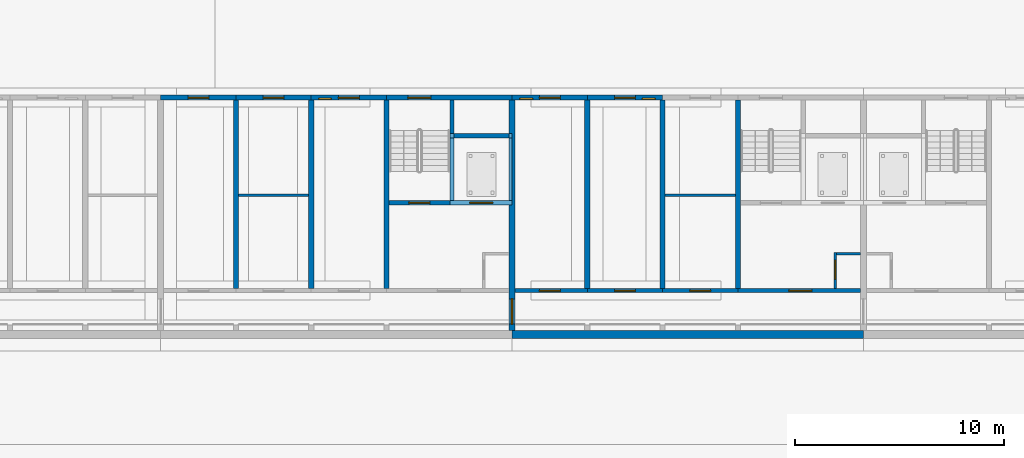
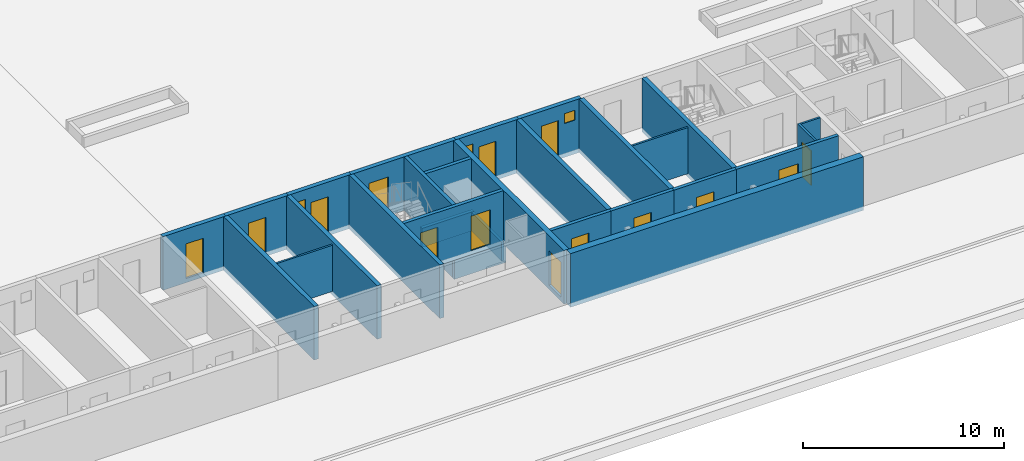
# One storey, part 42 of 112: 29 walls, 14 doors, 3 windows, 17 openings.
"""IFC4 building model written with IfcOpenShell, lengths in metres."""

import ifcopenshell
import ifcopenshell.guid

model = None  # the IFC model being written
_history = None  # IfcOwnerHistory: only IFC2X3 demands one
_inside = {}  # id of a spatial element -> (the spatial element, [elements in it])
_under = {}  # id of a project, library or spatial element -> (it, [spatial elements below it])
_declared = {}  # id of a project -> (the project, [libraries it declares])
_typed = {}  # id of a type object -> (the type object, [elements of that type])
_made_of = {}  # id of a material, layer set ... -> (it, [elements and type objects made of it])


def new_model(schema):
    """Start an empty IFC model of exactly this schema.

    Asked for "IFC4X3", IfcOpenShell would pick the latest addendum, in which some entities
    have other attributes; the version numbers below select the first issue.
    IFC2X3 requires an IfcOwnerHistory on every rooted entity: one is made here for all.
    """
    global model, _history
    if schema == "IFC4X3":
        model = ifcopenshell.file(schema_version=(4, 3, 0, 0))
    else:
        model = ifcopenshell.file(schema=schema)
    _inside.clear()
    _under.clear()
    _declared.clear()
    _typed.clear()
    _made_of.clear()
    _history = None
    if model.schema == "IFC2X3":
        org = make("IfcOrganization", Name="unknown")
        user = make(
            "IfcPersonAndOrganization",
            ThePerson=make("IfcPerson", FamilyName="unknown"),
            TheOrganization=org,
        )
        app = make(
            "IfcApplication",
            ApplicationDeveloper=org,
            Version="unknown",
            ApplicationFullName="unknown",
            ApplicationIdentifier="unknown",
        )
        _history = make(
            "IfcOwnerHistory",
            OwningUser=user,
            OwningApplication=app,
            ChangeAction="ADDED",
            CreationDate=0,
        )
    return model


def make(cls, **values):
    """One entity of the class cls with the attributes given. An attribute that is None is left unset."""
    return model.create_entity(
        cls, **{name: value for name, value in values.items() if value is not None}
    )


def rooted(cls, **values):
    """An entity with a GlobalId (a new one), such as an element, a storey or a relation."""
    return make(cls, GlobalId=ifcopenshell.guid.new(), OwnerHistory=_history, **values)


def si_unit(unit_type, name, prefix=None):
    """IfcSIUnit, for example si_unit("LENGTHUNIT", "METRE", prefix="MILLI")."""
    return make("IfcSIUnit", UnitType=unit_type, Prefix=prefix, Name=name)


def assignment(units):
    """IfcUnitAssignment: the units of a project."""
    return None if units is None else make("IfcUnitAssignment", Units=units)


def point(xyz):
    """IfcCartesianPoint."""
    return None if xyz is None else make("IfcCartesianPoint", Coordinates=xyz)


def direction(xyz):
    """IfcDirection."""
    return None if xyz is None else make("IfcDirection", DirectionRatios=xyz)


def frame(location, z_axis=None, x_axis=None):
    """IfcAxis2Placement3D, a coordinate frame: its origin and axes. An axis left out is left unset."""
    return make(
        "IfcAxis2Placement3D",
        Location=point(location),
        Axis=direction(z_axis),
        RefDirection=direction(x_axis),
    )


def frame_2d(location, x_axis=None):
    """IfcAxis2Placement2D, a coordinate frame in the plane: its origin and x axis."""
    return make(
        "IfcAxis2Placement2D", Location=point(location), RefDirection=direction(x_axis)
    )


def origin():
    """The frame at (0, 0, 0) with its axes left unset."""
    return frame((0.0, 0.0, 0.0))


def place(relative_to, where):
    """IfcLocalPlacement: puts the frame where relative to a parent placement (None: the world)."""
    return make(
        "IfcLocalPlacement", PlacementRelTo=relative_to, RelativePlacement=where
    )


def context(
    kind, dimensions, precision=None, world=None, true_north=None, identifier=None
):
    """IfcGeometricRepresentationContext, for example the 3D "Model" context."""
    return make(
        "IfcGeometricRepresentationContext",
        ContextIdentifier=identifier,
        ContextType=kind,
        CoordinateSpaceDimension=dimensions,
        Precision=precision,
        WorldCoordinateSystem=world,
        TrueNorth=true_north,
    )


def subcontext(parent, identifier, kind, view, scale=None):
    """IfcGeometricRepresentationSubContext, for example "Body" below "Model"."""
    return make(
        "IfcGeometricRepresentationSubContext",
        ContextIdentifier=identifier,
        ContextType=kind,
        ParentContext=parent,
        TargetScale=scale,
        TargetView=view,
    )


def project(units=None, contexts=None):
    """IfcProject with its units and contexts."""
    return rooted(
        "IfcProject",
        Name="project",
        RepresentationContexts=contexts,
        UnitsInContext=assignment(units),
    )


def spatial(cls, under=None, at=None, **own):
    """A site, building, storey or space (cls), placed at a placement, below another one or the project."""
    s = rooted(cls, ObjectPlacement=at, **own)
    if under is not None:
        _under.setdefault(under.id(), (under, []))[1].append(s)
    return s


def profile(cls, at=None, kind="AREA", **sizes):
    """A parametric profile (cls). Its sizes go by their IFC names, for example OverallWidth=200.0."""
    return make(cls, ProfileType=kind, Position=at, **sizes)


def rectangle(**sizes):
    """IfcRectangleProfileDef."""
    return profile("IfcRectangleProfileDef", **sizes)


def extrude(swept, where, along, depth):
    """IfcExtrudedAreaSolid: the profile swept, set in the frame where, extruded along a direction by depth."""
    return make(
        "IfcExtrudedAreaSolid",
        SweptArea=swept,
        Position=where,
        ExtrudedDirection=direction(along),
        Depth=depth,
    )


def shape(context_of_items, identifier, shape_type, items):
    """IfcShapeRepresentation: the items that make up one representation, for example the "Body"."""
    return make(
        "IfcShapeRepresentation",
        ContextOfItems=context_of_items,
        RepresentationIdentifier=identifier,
        RepresentationType=shape_type,
        Items=items,
    )


def material(Name=None, Category=None):
    """IfcMaterial."""
    return make("IfcMaterial", Name=Name, Category=Category)


def layer(
    of_material, thickness, ventilated=None, Name=None, Category=None, Priority=None
):
    """IfcMaterialLayer: one layer of a wall or slab, of a material (None: an air gap)."""
    return make(
        "IfcMaterialLayer",
        Material=of_material,
        LayerThickness=thickness,
        IsVentilated=ventilated,
        Name=Name,
        Category=Category,
        Priority=Priority,
    )


def layer_set(layers, Name=None):
    """IfcMaterialLayerSet."""
    return make("IfcMaterialLayerSet", MaterialLayers=layers, LayerSetName=Name)


def made_of(thing, what):
    """Note that an element or type object is made of a material, layer set ...; save() writes the relation."""
    if what is not None:
        _made_of.setdefault(what.id(), (what, []))[1].append(thing)
    return thing


def type_object(cls, material=None, **own):
    """A type object (cls), such as IfcWallType, which elements share."""
    return made_of(rooted(cls, **own), material)


def element(
    cls,
    number,
    at=None,
    inside=None,
    cuts=None,
    type_object=None,
    material=None,
    context=None,
    identifier="Body",
    shape_type=None,
    held_by="IfcProductDefinitionShape",
    body=None,
    shapes=None,
    **own,
):
    """One element of the class cls, such as IfcWall. Its Tag is "e" and its number.

    at: its placement. inside: the storey or other place that contains it. cuts: it is an
    opening in that element (IfcRelVoidsElement). A single representation is given by context,
    identifier, shape_type and body (its items); several are given by shapes. held_by: the class
    of the entity that holds the representations. save() writes the other relations.
    """
    e = rooted(cls, Tag="e%d" % number, ObjectPlacement=at, **own)
    if body is not None:
        shapes = [shape(context, identifier, shape_type, body)]
    if shapes is not None:
        e.Representation = make(held_by, Representations=shapes)
    if inside is not None:
        _inside.setdefault(inside.id(), (inside, []))[1].append(e)
    if cuts is not None:
        rooted(
            "IfcRelVoidsElement", RelatingBuildingElement=cuts, RelatedOpeningElement=e
        )
    if type_object is not None:
        _typed.setdefault(type_object.id(), (type_object, []))[1].append(e)
    return made_of(e, material)


def fill(opening, filler):
    """IfcRelFillsElement: the door or window that sits in an opening."""
    return rooted(
        "IfcRelFillsElement",
        RelatingOpeningElement=opening,
        RelatedBuildingElement=filler,
    )


def aggregate(whole, parts):
    """IfcRelAggregates: a whole, such as a stair, and the parts it consists of."""
    return rooted("IfcRelAggregates", RelatingObject=whole, RelatedObjects=parts)


def save(model, path):
    """Write the relations noted so far, then the file.

    IfcRelAggregates (storeys below a building ...), IfcRelContainedInSpatialStructure (elements
    in a storey), IfcRelDefinesByType, IfcRelAssociatesMaterial and IfcRelDeclares: one each for
    every whole, place, type object, material and project.
    """
    for whole, parts in _under.values():
        aggregate(whole, parts)
    for where, things in _inside.values():
        rooted(
            "IfcRelContainedInSpatialStructure",
            RelatedElements=things,
            RelatingStructure=where,
        )
    for kind, things in _typed.values():
        rooted("IfcRelDefinesByType", RelatedObjects=things, RelatingType=kind)
    for what, things in _made_of.values():
        rooted("IfcRelAssociatesMaterial", RelatedObjects=things, RelatingMaterial=what)
    for by, libraries in _declared.values():
        rooted("IfcRelDeclares", RelatingContext=by, RelatedDefinitions=libraries)
    model.write(path)


model = new_model("IFC4")

# Units and contexts
model_context = context("Model", 3, precision=1e-05, world=origin(), true_north=direction((0.0, 1.0)))
body_context = subcontext(model_context, "Body", "Model", "MODEL_VIEW")
ifc_project = project(units=[si_unit("LENGTHUNIT", "METRE"), si_unit("AREAUNIT", "SQUARE_METRE"), si_unit("VOLUMEUNIT", "CUBIC_METRE"), si_unit("PLANEANGLEUNIT", "RADIAN"), si_unit("MASSUNIT", "GRAM", prefix="KILO")], contexts=[model_context])

# Site, building, storey
site_placement = place(None, origin())
site = spatial("IfcSite", under=ifc_project, at=site_placement, CompositionType="ELEMENT")
building_placement = place(site_placement, origin())
building = spatial("IfcBuilding", under=site, at=building_placement, Name="Ridgestep Commons", CompositionType="ELEMENT")
storey_placement = place(building_placement, origin())
storey = spatial("IfcBuildingStorey", under=building, at=storey_placement, Name="L00", CompositionType="ELEMENT", Elevation=0.0)

# Walls
ifc_material_1 = material(Name="Concrete C30/37", Category="concrete")
ifc_layer_1 = layer(ifc_material_1, 0.25)
ifc_layer_set_1 = layer_set([ifc_layer_1], Name="Core cross wall 250")
wall_type_1 = type_object("IfcWallType", Name="Core cross wall 250", PredefinedType="SHEAR", material=ifc_layer_set_1)
for number, where, z_axis, x_axis, name in (
    (1, (73.199951171875, 13.75, -0.25), (0.0, 0.0, 1.0), (0.0, 1.0, 0.0), "Cross wall A-00-0732"),
    (2, (90.0, 13.75, -0.25), (0.0, 0.0, 1.0), (0.0, 1.0, 0.0), "Cross wall A-00-0900"),
):
    element("IfcWall", number, at=place(storey_placement, frame(where, z_axis=z_axis, x_axis=x_axis)), inside=storey, type_object=wall_type_1, Name=name, PredefinedType="SHEAR", context=body_context, shape_type="SweptSolid", body=[
        extrude(rectangle(XDim=9.0, YDim=0.25, at=frame_2d((4.5, 0.0))), origin(), (0.0, 0.0, 1.0), 3.25),
    ])

# Wall, opening, door
ifc_material_2 = material(Name="Concrete C30/37", Category="concrete")
ifc_layer_2 = layer(ifc_material_2, 0.199951171875)
ifc_layer_set_2 = layer_set([ifc_layer_2], Name="Core south wall 200")
wall_type_2 = type_object("IfcWallType", Name="Core south wall 200", PredefinedType="SHEAR", material=ifc_layer_set_2)
wall_1_placement = place(storey_placement, frame((90.0, 13.64990234375, -0.25), z_axis=(0.0, 0.0, 1.0), x_axis=(1.0, 0.0, 0.0)))
wall_1 = element("IfcWall", 3, at=wall_1_placement, inside=storey, type_object=wall_type_2, Name="Core south wall A5C L00", PredefinedType="SHEAR", context=body_context, shape_type="SweptSolid", body=[
    extrude(rectangle(XDim=5.85009765625, YDim=0.199951171875, at=frame_2d((2.925048828125, 0.0))), origin(), (0.0, 0.0, 1.0), 3.25),
])
opening_1_placement = place(wall_1_placement, frame((2.4375, 0.0, 0.25)))
opening_1 = element("IfcOpeningElement", 4, at=opening_1_placement, cuts=wall_1, Name="Opening A5C/00/1", PredefinedType="OPENING", context=body_context, shape_type="SweptSolid", body=[
    extrude(rectangle(XDim=1.10009765625, YDim=2.10009765625, at=frame_2d((0.550048828125, 1.050048828125))), frame((0.0, 0.10986328125, 0.0), z_axis=(0.0, -1.0, 0.0), x_axis=(1.0, 0.0, 0.0)), (0.0, 0.0, 1.0), 0.219970703125),
])
ifc_material_3 = material(Name="Steel fire door", Category="steel")
door_type_1 = type_object("IfcDoorType", Name="Lobby door 1100 x 2100 FD60", OperationType="NOTDEFINED", PredefinedType="DOOR", material=ifc_material_3)
door_1_placement = place(opening_1_placement, origin())
door_1 = element("IfcDoor", 5, at=door_1_placement, inside=storey, type_object=door_type_1, Name="Lobby door A5C/00/1", OperationType="SINGLE_SWING_LEFT", OverallHeight=2.10009765625, OverallWidth=1.10009765625, PredefinedType="DOOR", context=body_context, shape_type="SweptSolid", body=[
    extrude(rectangle(XDim=1.10009765625, YDim=2.10009765625, at=frame_2d((0.550048828125, 1.050048828125))), frame((0.0, 0.02490234375, 0.0), z_axis=(0.0, -1.0, 0.0), x_axis=(1.0, 0.0, 0.0)), (0.0, 0.0, 1.0), 0.050048828125),
])
fill(opening_1, door_1)

ifc_material_4 = material(Name="Concrete C30/37", Category="concrete")
ifc_layer_3 = layer(ifc_material_4, 0.1201171875)
ifc_layer_set_3 = layer_set([ifc_layer_3], Name="Core wall 120")
wall_type_3 = type_object("IfcWallType", Name="Core wall 120", PredefinedType="SHEAR", material=ifc_layer_set_3)
wall_2_placement = place(storey_placement, frame((94.659912109375, 13.75, -0.25), z_axis=(0.0, 0.0, 1.0), x_axis=(0.0, 1.0, 0.0)))
wall_2 = element("IfcWall", 6, at=wall_2_placement, inside=storey, type_object=wall_type_3, Name="Core riser w wall A5C L00", PredefinedType="SHEAR", context=body_context, shape_type="SweptSolid", body=[
    extrude(rectangle(XDim=1.719970703125, YDim=0.1201171875, at=frame_2d((0.85986328125, 0.0))), origin(), (0.0, 0.0, 1.0), 3.25),
])
opening_2_placement = place(wall_2_placement, frame((0.449951171875, 0.0, 0.25)))
opening_2 = element("IfcOpeningElement", 7, at=opening_2_placement, cuts=wall_2, Name="Opening A5C/00/4", PredefinedType="OPENING", context=body_context, shape_type="SweptSolid", body=[
    extrude(rectangle(XDim=0.89990234375, YDim=2.10009765625, at=frame_2d((0.449951171875, 1.050048828125))), frame((0.0, 0.070068359375, 0.0), z_axis=(0.0, -1.0, 0.0), x_axis=(1.0, 0.0, 0.0)), (0.0, 0.0, 1.0), 0.14013671875),
])
ifc_material_5 = material(Name="Steel fire door", Category="steel")
door_type_2 = type_object("IfcDoorType", Name="Riser door 900 x 2100 FD60", OperationType="NOTDEFINED", PredefinedType="DOOR", material=ifc_material_5)
door_2_placement = place(opening_2_placement, origin())
door_2 = element("IfcDoor", 8, at=door_2_placement, inside=storey, type_object=door_type_2, Name="Riser door A5C/00/4", OperationType="SINGLE_SWING_LEFT", OverallHeight=2.10009765625, OverallWidth=0.89990234375, PredefinedType="DOOR", context=body_context, shape_type="SweptSolid", body=[
    extrude(rectangle(XDim=0.89990234375, YDim=2.10009765625, at=frame_2d((0.449951171875, 1.050048828125))), frame((0.0, 0.02490234375, 0.0), z_axis=(0.0, -1.0, 0.0), x_axis=(1.0, 0.0, 0.0)), (0.0, 0.0, 1.0), 0.050048828125),
])
fill(opening_2, door_2)

# Walls
wall_3_placement = place(storey_placement, frame((94.719970703125, 15.409912109375, -0.25), z_axis=(0.0, 0.0, 1.0), x_axis=(1.0, 0.0, 0.0)))
element("IfcWall", 9, at=wall_3_placement, inside=storey, type_object=wall_type_3, Name="Core riser n wall A5C L00", PredefinedType="SHEAR", context=body_context, shape_type="SweptSolid", body=[
    extrude(rectangle(XDim=1.130126953125, YDim=0.1201171875, at=frame_2d((0.56494140625, 0.0))), origin(), (0.0, 0.0, 1.0), 3.25),
])
ifc_material_6 = material(Name="Concrete C30/37", Category="concrete")
ifc_layer_4 = layer(ifc_material_6, 0.14990234375)
ifc_layer_set_4 = layer_set([ifc_layer_4], Name="Core wall 150")
wall_type_4 = type_object("IfcWallType", Name="Core wall 150", PredefinedType="SHEAR", material=ifc_layer_set_4)
wall_4_placement = place(storey_placement, frame((79.125, 17.949951171875, -1.39990234375), z_axis=(0.0, 0.0, 1.0), x_axis=(0.0, 1.0, 0.0)))
element("IfcWall", 10, at=wall_4_placement, inside=storey, type_object=wall_type_4, Name="Lift pit wall A4C", PredefinedType="SHEAR", context=body_context, shape_type="SweptSolid", body=[
    extrude(rectangle(XDim=3.0, YDim=0.14990234375, at=frame_2d((1.5, 0.0))), origin(), (0.0, 0.0, 1.0), 1.14990234375),
])

# Wall, openings, doors
ifc_material_7 = material(Name="Concrete C30/37", Category="concrete")
ifc_layer_5 = layer(ifc_material_7, 0.199951171875)
ifc_layer_set_5 = layer_set([ifc_layer_5], Name="Core wall 200")
wall_type_5 = type_object("IfcWallType", Name="Core wall 200", PredefinedType="SHEAR", material=ifc_layer_set_5)
wall_5_placement = place(storey_placement, frame((73.324951171875, 17.85009765625, -0.25), z_axis=(0.0, 0.0, 1.0), x_axis=(1.0, 0.0, 0.0)))
wall_5 = element("IfcWall", 11, at=wall_5_placement, inside=storey, type_object=wall_type_5, Name="Core lobby wall A4C L00", PredefinedType="SHEAR", context=body_context, shape_type="SweptSolid", body=[
    extrude(rectangle(XDim=5.72509765625, YDim=0.199951171875, at=frame_2d((2.862548828125, 0.0))), origin(), (0.0, 0.0, 1.0), 3.25),
])
opening_3_placement = place(wall_5_placement, frame((0.949951171875, 0.0, 0.25)))
opening_3 = element("IfcOpeningElement", 12, at=opening_3_placement, cuts=wall_5, Name="Opening A4C/00/2", PredefinedType="OPENING", context=body_context, shape_type="SweptSolid", body=[
    extrude(rectangle(XDim=1.0, YDim=2.10009765625, at=frame_2d((0.5, 1.050048828125))), frame((0.0, 0.10986328125, 0.0), z_axis=(0.0, -1.0, 0.0), x_axis=(1.0, 0.0, 0.0)), (0.0, 0.0, 1.0), 0.219970703125),
])
opening_4_placement = place(wall_5_placement, frame((3.862548828125, 0.0, 0.25)))
opening_4 = element("IfcOpeningElement", 13, at=opening_4_placement, cuts=wall_5, Name="Opening A4C/00/3", PredefinedType="OPENING", context=body_context, shape_type="SweptSolid", body=[
    extrude(rectangle(XDim=1.10009765625, YDim=2.10009765625, at=frame_2d((0.550048828125, 1.050048828125))), frame((0.0, 0.10986328125, 0.0), z_axis=(0.0, -1.0, 0.0), x_axis=(1.0, 0.0, 0.0)), (0.0, 0.0, 1.0), 0.219970703125),
])
ifc_material_8 = material(Name="Stainless steel", Category="steel")
door_type_3 = type_object("IfcDoorType", Name="Lift landing door 1100 x 2100 FD60", OperationType="DOUBLE_DOOR_SLIDING", PredefinedType="DOOR", material=ifc_material_8)
door_3_placement = place(opening_4_placement, origin())
door_3 = element("IfcDoor", 14, at=door_3_placement, inside=storey, type_object=door_type_3, Name="Landing door LD A4C L00", OperationType="DOUBLE_DOOR_SLIDING", OverallHeight=2.10009765625, OverallWidth=1.10009765625, PredefinedType="DOOR", context=body_context, shape_type="SweptSolid", body=[
    extrude(rectangle(XDim=1.10009765625, YDim=2.10009765625, at=frame_2d((0.550048828125, 1.050048828125))), frame((0.0, 0.02490234375, 0.0), z_axis=(0.0, -1.0, 0.0), x_axis=(1.0, 0.0, 0.0)), (0.0, 0.0, 1.0), 0.050048828125),
])
fill(opening_4, door_3)
ifc_material_9 = material(Name="Steel fire door", Category="steel")
door_type_4 = type_object("IfcDoorType", Name="Stair door 1000 x 2100 FD60", OperationType="NOTDEFINED", PredefinedType="DOOR", material=ifc_material_9)
door_4_placement = place(opening_3_placement, origin())
door_4 = element("IfcDoor", 15, at=door_4_placement, inside=storey, type_object=door_type_4, Name="Stair door A4C/00/2", OperationType="SINGLE_SWING_RIGHT", OverallHeight=2.10009765625, OverallWidth=1.0, PredefinedType="DOOR", context=body_context, shape_type="SweptSolid", body=[
    extrude(rectangle(XDim=1.0, YDim=2.10009765625, at=frame_2d((0.5, 1.050048828125))), frame((0.0, 0.02490234375, 0.0), z_axis=(0.0, -1.0, 0.0), x_axis=(1.0, 0.0, 0.0)), (0.0, 0.0, 1.0), 0.050048828125),
])
fill(opening_3, door_4)

# Walls
wall_6_placement = place(storey_placement, frame((76.324951171875, 17.949951171875, -0.25), z_axis=(0.0, 0.0, 1.0), x_axis=(0.0, 1.0, 0.0)))
element("IfcWall", 16, at=wall_6_placement, inside=storey, type_object=wall_type_5, Name="Core stair wall A4C L00", PredefinedType="SHEAR", context=body_context, shape_type="SweptSolid", body=[
    extrude(rectangle(XDim=4.800048828125, YDim=0.199951171875, at=frame_2d((2.39990234375, 0.0))), origin(), (0.0, 0.0, 1.0), 3.25),
])
wall_7_placement = place(storey_placement, frame((76.425048828125, 21.050048828125, -0.25), z_axis=(0.0, 0.0, 1.0), x_axis=(1.0, 0.0, 0.0)))
element("IfcWall", 17, at=wall_7_placement, inside=storey, type_object=wall_type_5, Name="Core duct wall A4C L00", PredefinedType="SHEAR", context=body_context, shape_type="SweptSolid", body=[
    extrude(rectangle(XDim=2.625, YDim=0.199951171875, at=frame_2d((1.3125, 0.0))), origin(), (0.0, 0.0, 1.0), 3.25),
])
for number, where, z_axis, x_axis, name in (
    (18, (76.22509765625, 17.85009765625, -1.39990234375), (0.0, 0.0, 1.0), (1.0, 0.0, 0.0), "Lift pit wall A4C"),
    (19, (76.22509765625, 21.050048828125, -1.39990234375), (0.0, 0.0, 1.0), (1.0, 0.0, 0.0), "Lift pit wall A4C"),
):
    element("IfcWall", number, at=place(storey_placement, frame(where, z_axis=z_axis, x_axis=x_axis)), inside=storey, type_object=wall_type_5, Name=name, PredefinedType="SHEAR", context=body_context, shape_type="SweptSolid", body=[
        extrude(rectangle(XDim=2.974853515625, YDim=0.199951171875, at=frame_2d((1.4873046875, 0.0))), origin(), (0.0, 0.0, 1.0), 1.14990234375),
    ])
wall_8_placement = place(storey_placement, frame((76.324951171875, 17.949951171875, -1.39990234375), z_axis=(0.0, 0.0, 1.0), x_axis=(0.0, 1.0, 0.0)))
element("IfcWall", 20, at=wall_8_placement, inside=storey, type_object=wall_type_5, Name="Lift pit wall A4C", PredefinedType="SHEAR", context=body_context, shape_type="SweptSolid", body=[
    extrude(rectangle(XDim=3.0, YDim=0.199951171875, at=frame_2d((1.5, 0.0))), origin(), (0.0, 0.0, 1.0), 1.14990234375),
])
ifc_material_10 = material(Name="Precast concrete C40/50", Category="concrete")
ifc_layer_6 = layer(ifc_material_10, 0.25)
ifc_layer_set_6 = layer_set([ifc_layer_6], Name="Cross wall 250")
wall_type_6 = type_object("IfcWallType", Name="Cross wall 250", PredefinedType="SHEAR", material=ifc_layer_set_6)
for number, where, z_axis, x_axis, name in (
    (21, (66.0, 13.75, -0.25), (0.0, 0.0, 1.0), (0.0, 1.0, 0.0), "Cross wall A-00-0660"),
    (22, (69.60009765625, 13.75, -0.25), (0.0, 0.0, 1.0), (0.0, 1.0, 0.0), "Cross wall A-00-0696"),
    (23, (82.800048828125, 13.75, -0.25), (0.0, 0.0, 1.0), (0.0, 1.0, 0.0), "Cross wall A-00-0828"),
    (24, (86.39990234375, 13.75, -0.25), (0.0, 0.0, 1.0), (0.0, 1.0, 0.0), "Cross wall A-00-0864"),
):
    element("IfcWall", number, at=place(storey_placement, frame(where, z_axis=z_axis, x_axis=x_axis)), inside=storey, type_object=wall_type_6, Name=name, PredefinedType="SHEAR", context=body_context, shape_type="SweptSolid", body=[
        extrude(rectangle(XDim=9.0, YDim=0.25, at=frame_2d((4.5, 0.0))), origin(), (0.0, 0.0, 1.0), 3.25),
    ])

# Wall, opening, door
ifc_material_11 = material(Name="Precast concrete C40/50", Category="concrete")
ifc_layer_7 = layer(ifc_material_11, 0.300048828125)
ifc_layer_set_7 = layer_set([ifc_layer_7], Name="Division wall 300")
wall_type_7 = type_object("IfcWallType", Name="Division wall 300", PredefinedType="SHEAR", material=ifc_layer_set_7)
wall_9_placement = place(storey_placement, frame((79.199951171875, 11.75, -0.25), z_axis=(0.0, 0.0, 1.0), x_axis=(0.0, 1.0, 0.0)))
wall_9 = element("IfcWall", 25, at=wall_9_placement, inside=storey, type_object=wall_type_7, Name="Cross wall A-00-0792", PredefinedType="SHEAR", context=body_context, shape_type="SweptSolid", body=[
    extrude(rectangle(XDim=11.0, YDim=0.300048828125, at=frame_2d((5.5, 0.0))), origin(), (0.0, 0.0, 1.0), 3.25),
])
opening_5_placement = place(wall_9_placement, frame((0.300048828125, 0.0, 0.25)))
opening_5 = element("IfcOpeningElement", 26, at=opening_5_placement, cuts=wall_9, Name="Opening A/00/G0792", PredefinedType="OPENING", context=body_context, shape_type="SweptSolid", body=[
    extrude(rectangle(XDim=1.199951171875, YDim=2.10009765625, at=frame_2d((0.60009765625, 1.050048828125))), frame((0.0, 0.159912109375, 0.0), z_axis=(0.0, -1.0, 0.0), x_axis=(1.0, 0.0, 0.0)), (0.0, 0.0, 1.0), 0.320068359375),
])
ifc_material_12 = material(Name="Steel fire door", Category="steel")
door_type_5 = type_object("IfcDoorType", Name="Division fire door 1200 x 2100 EI 240", OperationType="DOUBLE_DOOR_SINGLE_SWING", PredefinedType="DOOR", material=ifc_material_12)
door_5_placement = place(opening_5_placement, origin())
door_5 = element("IfcDoor", 27, at=door_5_placement, inside=storey, type_object=door_type_5, Name="Division fire door A/00/G0792", OperationType="DOUBLE_DOOR_SINGLE_SWING", OverallHeight=2.10009765625, OverallWidth=1.199951171875, PredefinedType="DOOR", context=body_context, shape_type="SweptSolid", body=[
    extrude(rectangle(XDim=1.199951171875, YDim=2.10009765625, at=frame_2d((0.60009765625, 1.050048828125))), frame((0.0, 0.02490234375, 0.0), z_axis=(0.0, -1.0, 0.0), x_axis=(1.0, 0.0, 0.0)), (0.0, 0.0, 1.0), 0.050048828125),
])
fill(opening_5, door_5)

ifc_material_13 = material(Name="Precast concrete C40/50", Category="concrete")
ifc_layer_8 = layer(ifc_material_13, 0.25)
ifc_layer_set_8 = layer_set([ifc_layer_8], Name="North facade panel 250")
wall_type_8 = type_object("IfcWallType", Name="North facade panel 250", PredefinedType="SOLIDWALL", material=ifc_layer_set_8)
wall_10_placement = place(storey_placement, frame((62.39990234375, 22.875, -0.25), z_axis=(0.0, 0.0, 1.0), x_axis=(1.0, 0.0, 0.0)))
wall_10 = element("IfcWall", 28, at=wall_10_placement, inside=storey, type_object=wall_type_8, Name="North panel A4T1 L00", PredefinedType="SOLIDWALL", context=body_context, shape_type="SweptSolid", body=[
    extrude(rectangle(XDim=3.60009765625, YDim=0.25, at=frame_2d((1.800048828125, 0.0))), origin(), (0.0, 0.0, 1.0), 3.25),
])
opening_6_placement = place(wall_10_placement, frame((1.3125, 0.0, 0.25)))
opening_6 = element("IfcOpeningElement", 29, at=opening_6_placement, cuts=wall_10, Name="Opening A4-00p/2", PredefinedType="OPENING", context=body_context, shape_type="SweptSolid", body=[
    extrude(rectangle(XDim=1.0, YDim=2.10009765625, at=frame_2d((0.5, 1.050048828125))), frame((0.0, 0.135009765625, 0.0), z_axis=(0.0, -1.0, 0.0), x_axis=(1.0, 0.0, 0.0)), (0.0, 0.0, 1.0), 0.27001953125),
])
ifc_material_14 = material(Name="Steel door leaf", Category="steel")
door_type_6 = type_object("IfcDoorType", Name="Exterior door 1000 x 2100", OperationType="NOTDEFINED", PredefinedType="DOOR", material=ifc_material_14)
door_6_placement = place(opening_6_placement, origin())
door_6 = element("IfcDoor", 30, at=door_6_placement, inside=storey, type_object=door_type_6, Name="Exterior door A4-00p/2", OperationType="SINGLE_SWING_LEFT", OverallHeight=2.10009765625, OverallWidth=1.0, PredefinedType="DOOR", context=body_context, shape_type="SweptSolid", body=[
    extrude(rectangle(XDim=1.0, YDim=2.10009765625, at=frame_2d((0.5, 1.050048828125))), frame((0.0, 0.02490234375, 0.0), z_axis=(0.0, -1.0, 0.0), x_axis=(1.0, 0.0, 0.0)), (0.0, 0.0, 1.0), 0.050048828125),
])
fill(opening_6, door_6)

wall_11_placement = place(storey_placement, frame((66.0, 22.875, -0.25), z_axis=(0.0, 0.0, 1.0), x_axis=(1.0, 0.0, 0.0)))
wall_11 = element("IfcWall", 31, at=wall_11_placement, inside=storey, type_object=wall_type_8, Name="North panel A4T2 L00", PredefinedType="SOLIDWALL", context=body_context, shape_type="SweptSolid", body=[
    extrude(rectangle(XDim=3.60009765625, YDim=0.25, at=frame_2d((1.800048828125, 0.0))), origin(), (0.0, 0.0, 1.0), 3.25),
])
opening_7_placement = place(wall_11_placement, frame((1.300048828125, 0.0, 0.25)))
opening_7 = element("IfcOpeningElement", 32, at=opening_7_placement, cuts=wall_11, Name="Opening A4-00p/4", PredefinedType="OPENING", context=body_context, shape_type="SweptSolid", body=[
    extrude(rectangle(XDim=1.0, YDim=2.10009765625, at=frame_2d((0.5, 1.050048828125))), frame((0.0, 0.135009765625, 0.0), z_axis=(0.0, -1.0, 0.0), x_axis=(1.0, 0.0, 0.0)), (0.0, 0.0, 1.0), 0.27001953125),
])
door_7_placement = place(opening_7_placement, origin())
door_7 = element("IfcDoor", 33, at=door_7_placement, inside=storey, type_object=door_type_6, Name="Exterior door A4-00p/4", OperationType="SINGLE_SWING_LEFT", OverallHeight=2.10009765625, OverallWidth=1.0, PredefinedType="DOOR", context=body_context, shape_type="SweptSolid", body=[
    extrude(rectangle(XDim=1.0, YDim=2.10009765625, at=frame_2d((0.5, 1.050048828125))), frame((0.0, 0.02490234375, 0.0), z_axis=(0.0, -1.0, 0.0), x_axis=(1.0, 0.0, 0.0)), (0.0, 0.0, 1.0), 0.050048828125),
])
fill(opening_7, door_7)

# Wall, openings, door, window
wall_12_placement = place(storey_placement, frame((69.60009765625, 22.875, -0.25), z_axis=(0.0, 0.0, 1.0), x_axis=(1.0, 0.0, 0.0)))
wall_12 = element("IfcWall", 34, at=wall_12_placement, inside=storey, type_object=wall_type_8, Name="North panel A4T3 L00", PredefinedType="SOLIDWALL", context=body_context, shape_type="SweptSolid", body=[
    extrude(rectangle(XDim=3.599853515625, YDim=0.25, at=frame_2d((1.7998046875, 0.0))), origin(), (0.0, 0.0, 1.0), 3.25),
])
opening_8_placement = place(wall_12_placement, frame((0.362548828125, 0.0, 2.050048828125)))
opening_8 = element("IfcOpeningElement", 35, at=opening_8_placement, cuts=wall_12, Name="Opening W01", PredefinedType="OPENING", context=body_context, shape_type="SweptSolid", body=[
    extrude(rectangle(XDim=0.60009765625, YDim=0.60009765625, at=frame_2d((0.300048828125, 0.300048828125))), frame((0.0, 0.135009765625, 0.0), z_axis=(0.0, -1.0, 0.0), x_axis=(1.0, 0.0, 0.0)), (0.0, 0.0, 1.0), 0.27001953125),
])
opening_9_placement = place(wall_12_placement, frame((1.300048828125, 0.0, 0.25)))
opening_9 = element("IfcOpeningElement", 36, at=opening_9_placement, cuts=wall_12, Name="Opening A4-00p/6", PredefinedType="OPENING", context=body_context, shape_type="SweptSolid", body=[
    extrude(rectangle(XDim=1.0, YDim=2.10009765625, at=frame_2d((0.5, 1.050048828125))), frame((0.0, 0.135009765625, 0.0), z_axis=(0.0, -1.0, 0.0), x_axis=(1.0, 0.0, 0.0)), (0.0, 0.0, 1.0), 0.27001953125),
])
door_8_placement = place(opening_9_placement, origin())
door_8 = element("IfcDoor", 37, at=door_8_placement, inside=storey, type_object=door_type_6, Name="Exterior door A4-00p/6", OperationType="SINGLE_SWING_LEFT", OverallHeight=2.10009765625, OverallWidth=1.0, PredefinedType="DOOR", context=body_context, shape_type="SweptSolid", body=[
    extrude(rectangle(XDim=1.0, YDim=2.10009765625, at=frame_2d((0.5, 1.050048828125))), frame((0.0, 0.02490234375, 0.0), z_axis=(0.0, -1.0, 0.0), x_axis=(1.0, 0.0, 0.0)), (0.0, 0.0, 1.0), 0.050048828125),
])
fill(opening_9, door_8)
ifc_material_15 = material(Name="Aluminium 6063-T6 and glass", Category="aluminium")
window_type = type_object("IfcWindowType", Name="Flat window 600 x 600", PartitioningType="SINGLE_PANEL", PredefinedType="WINDOW", material=ifc_material_15)
window_1_placement = place(opening_8_placement, origin())
window_1 = element("IfcWindow", 38, at=window_1_placement, inside=storey, type_object=window_type, Name="Window A4-00p 2", OverallHeight=0.60009765625, OverallWidth=0.60009765625, PartitioningType="SINGLE_PANEL", PredefinedType="WINDOW", context=body_context, shape_type="SweptSolid", body=[
    extrude(rectangle(XDim=0.60009765625, YDim=0.60009765625, at=frame_2d((0.300048828125, 0.300048828125))), frame((0.0, -0.02490234375, 0.0), z_axis=(0.0, -1.0, 0.0), x_axis=(1.0, 0.0, 0.0)), (0.0, 0.0, 1.0), 0.06005859375),
])
fill(opening_8, window_1)

# Wall, opening, door
wall_13_placement = place(storey_placement, frame((73.199951171875, 22.875, -0.25), z_axis=(0.0, 0.0, 1.0), x_axis=(1.0, 0.0, 0.0)))
wall_13 = element("IfcWall", 39, at=wall_13_placement, inside=storey, type_object=wall_type_8, Name="North panel A4C L00", PredefinedType="SOLIDWALL", context=body_context, shape_type="SweptSolid", body=[
    extrude(rectangle(XDim=6.0, YDim=0.25, at=frame_2d((3.0, 0.0))), origin(), (0.0, 0.0, 1.0), 3.25),
])
opening_10_placement = place(wall_13_placement, frame((1.02490234375, 0.0, 0.25)))
opening_10 = element("IfcOpeningElement", 40, at=opening_10_placement, cuts=wall_13, Name="Opening A4C/00/5", PredefinedType="OPENING", context=body_context, shape_type="SweptSolid", body=[
    extrude(rectangle(XDim=1.10009765625, YDim=2.10009765625, at=frame_2d((0.550048828125, 1.050048828125))), frame((0.0, 0.135009765625, 0.0), z_axis=(0.0, -1.0, 0.0), x_axis=(1.0, 0.0, 0.0)), (0.0, 0.0, 1.0), 0.27001953125),
])
ifc_material_16 = material(Name="Steel fire door", Category="steel")
door_type_7 = type_object("IfcDoorType", Name="Stair exit door 1100 x 2100 FD60", OperationType="NOTDEFINED", PredefinedType="DOOR", material=ifc_material_16)
door_9_placement = place(opening_10_placement, origin())
door_9 = element("IfcDoor", 41, at=door_9_placement, inside=storey, type_object=door_type_7, Name="Stair exit door A4C/00/5", OperationType="SINGLE_SWING_LEFT", OverallHeight=2.10009765625, OverallWidth=1.10009765625, PredefinedType="DOOR", context=body_context, shape_type="SweptSolid", body=[
    extrude(rectangle(XDim=1.10009765625, YDim=2.10009765625, at=frame_2d((0.550048828125, 1.050048828125))), frame((0.0, 0.02490234375, 0.0), z_axis=(0.0, -1.0, 0.0), x_axis=(1.0, 0.0, 0.0)), (0.0, 0.0, 1.0), 0.050048828125),
])
fill(opening_10, door_9)

# Wall, openings, door, window
wall_14_placement = place(storey_placement, frame((79.199951171875, 22.875, -0.25), z_axis=(0.0, 0.0, 1.0), x_axis=(1.0, 0.0, 0.0)))
wall_14 = element("IfcWall", 42, at=wall_14_placement, inside=storey, type_object=wall_type_8, Name="North panel A5T1 L00", PredefinedType="SOLIDWALL", context=body_context, shape_type="SweptSolid", body=[
    extrude(rectangle(XDim=3.60009765625, YDim=0.25, at=frame_2d((1.800048828125, 0.0))), origin(), (0.0, 0.0, 1.0), 3.25),
])
opening_11_placement = place(wall_14_placement, frame((0.38134765625, 0.0, 2.050048828125)))
opening_11 = element("IfcOpeningElement", 43, at=opening_11_placement, cuts=wall_14, Name="Opening W01", PredefinedType="OPENING", context=body_context, shape_type="SweptSolid", body=[
    extrude(rectangle(XDim=0.60009765625, YDim=0.60009765625, at=frame_2d((0.300048828125, 0.300048828125))), frame((0.0, 0.135009765625, 0.0), z_axis=(0.0, -1.0, 0.0), x_axis=(1.0, 0.0, 0.0)), (0.0, 0.0, 1.0), 0.27001953125),
])
opening_12_placement = place(wall_14_placement, frame((1.3125, 0.0, 0.25)))
opening_12 = element("IfcOpeningElement", 44, at=opening_12_placement, cuts=wall_14, Name="Opening A5-00p/2", PredefinedType="OPENING", context=body_context, shape_type="SweptSolid", body=[
    extrude(rectangle(XDim=1.0, YDim=2.10009765625, at=frame_2d((0.5, 1.050048828125))), frame((0.0, 0.135009765625, 0.0), z_axis=(0.0, -1.0, 0.0), x_axis=(1.0, 0.0, 0.0)), (0.0, 0.0, 1.0), 0.27001953125),
])
door_10_placement = place(opening_12_placement, origin())
door_10 = element("IfcDoor", 45, at=door_10_placement, inside=storey, type_object=door_type_6, Name="Exterior door A5-00p/2", OperationType="SINGLE_SWING_LEFT", OverallHeight=2.10009765625, OverallWidth=1.0, PredefinedType="DOOR", context=body_context, shape_type="SweptSolid", body=[
    extrude(rectangle(XDim=1.0, YDim=2.10009765625, at=frame_2d((0.5, 1.050048828125))), frame((0.0, 0.02490234375, 0.0), z_axis=(0.0, -1.0, 0.0), x_axis=(1.0, 0.0, 0.0)), (0.0, 0.0, 1.0), 0.050048828125),
])
fill(opening_12, door_10)
window_2_placement = place(opening_11_placement, origin())
window_2 = element("IfcWindow", 46, at=window_2_placement, inside=storey, type_object=window_type, Name="Window A5-00p 2", OverallHeight=0.60009765625, OverallWidth=0.60009765625, PartitioningType="SINGLE_PANEL", PredefinedType="WINDOW", context=body_context, shape_type="SweptSolid", body=[
    extrude(rectangle(XDim=0.60009765625, YDim=0.60009765625, at=frame_2d((0.300048828125, 0.300048828125))), frame((0.0, -0.02490234375, 0.0), z_axis=(0.0, -1.0, 0.0), x_axis=(1.0, 0.0, 0.0)), (0.0, 0.0, 1.0), 0.06005859375),
])
fill(opening_11, window_2)

wall_15_placement = place(storey_placement, frame((82.800048828125, 22.875, -0.25), z_axis=(0.0, 0.0, 1.0), x_axis=(1.0, 0.0, 0.0)))
wall_15 = element("IfcWall", 47, at=wall_15_placement, inside=storey, type_object=wall_type_8, Name="North panel A5T2 L00", PredefinedType="SOLIDWALL", context=body_context, shape_type="SweptSolid", body=[
    extrude(rectangle(XDim=3.599853515625, YDim=0.25, at=frame_2d((1.7998046875, 0.0))), origin(), (0.0, 0.0, 1.0), 3.25),
])
opening_13_placement = place(wall_15_placement, frame((2.637451171875, 0.0, 2.050048828125)))
opening_13 = element("IfcOpeningElement", 48, at=opening_13_placement, cuts=wall_15, Name="Opening W01", PredefinedType="OPENING", context=body_context, shape_type="SweptSolid", body=[
    extrude(rectangle(XDim=0.60009765625, YDim=0.60009765625, at=frame_2d((0.300048828125, 0.300048828125))), frame((0.0, 0.135009765625, 0.0), z_axis=(0.0, -1.0, 0.0), x_axis=(1.0, 0.0, 0.0)), (0.0, 0.0, 1.0), 0.27001953125),
])
opening_14_placement = place(wall_15_placement, frame((1.300048828125, 0.0, 0.25)))
opening_14 = element("IfcOpeningElement", 49, at=opening_14_placement, cuts=wall_15, Name="Opening A5-00p/4", PredefinedType="OPENING", context=body_context, shape_type="SweptSolid", body=[
    extrude(rectangle(XDim=1.0, YDim=2.10009765625, at=frame_2d((0.5, 1.050048828125))), frame((0.0, 0.135009765625, 0.0), z_axis=(0.0, -1.0, 0.0), x_axis=(1.0, 0.0, 0.0)), (0.0, 0.0, 1.0), 0.27001953125),
])
door_11_placement = place(opening_14_placement, origin())
door_11 = element("IfcDoor", 50, at=door_11_placement, inside=storey, type_object=door_type_6, Name="Exterior door A5-00p/4", OperationType="SINGLE_SWING_LEFT", OverallHeight=2.10009765625, OverallWidth=1.0, PredefinedType="DOOR", context=body_context, shape_type="SweptSolid", body=[
    extrude(rectangle(XDim=1.0, YDim=2.10009765625, at=frame_2d((0.5, 1.050048828125))), frame((0.0, 0.02490234375, 0.0), z_axis=(0.0, -1.0, 0.0), x_axis=(1.0, 0.0, 0.0)), (0.0, 0.0, 1.0), 0.050048828125),
])
fill(opening_14, door_11)
window_3_placement = place(opening_13_placement, origin())
window_3 = element("IfcWindow", 51, at=window_3_placement, inside=storey, type_object=window_type, Name="Window A5-00p 4", OverallHeight=0.60009765625, OverallWidth=0.60009765625, PartitioningType="SINGLE_PANEL", PredefinedType="WINDOW", context=body_context, shape_type="SweptSolid", body=[
    extrude(rectangle(XDim=0.60009765625, YDim=0.60009765625, at=frame_2d((0.300048828125, 0.300048828125))), frame((0.0, -0.02490234375, 0.0), z_axis=(0.0, -1.0, 0.0), x_axis=(1.0, 0.0, 0.0)), (0.0, 0.0, 1.0), 0.06005859375),
])
fill(opening_13, window_3)

# Walls
ifc_material_17 = material(Name="Common brick 110 mm", Category="masonry")
ifc_layer_9 = layer(ifc_material_17, 0.110107421875)
ifc_layer_set_9 = layer_set([ifc_layer_9], Name="Partition 110")
wall_type_9 = type_object("IfcWallType", Name="Partition 110", PredefinedType="PARTITIONING", material=ifc_layer_set_9)
for number, where, z_axis, x_axis, name in (
    (52, (66.125, 18.205078125, 0.0), (0.0, 0.0, 1.0), (1.0, 0.0, 0.0), "Partition A4-00p"),
    (53, (86.52490234375, 18.205078125, 0.0), (0.0, 0.0, 1.0), (1.0, 0.0, 0.0), "Partition A5-00p"),
):
    element("IfcWall", number, at=place(storey_placement, frame(where, z_axis=z_axis, x_axis=x_axis)), inside=storey, type_object=wall_type_9, Name=name, PredefinedType="PARTITIONING", context=body_context, shape_type="SweptSolid", body=[
        extrude(rectangle(XDim=3.35009765625, YDim=0.110107421875, at=frame_2d((1.675048828125, 0.0))), origin(), (0.0, 0.0, 1.0), 2.800048828125),
    ])
ifc_material_18 = material(Name="Concrete C30/37", Category="concrete")
ifc_layer_10 = layer(ifc_material_18, 0.39990234375)
ifc_layer_set_10 = layer_set([ifc_layer_10], Name="Plinth retaining wall 400")
wall_type_10 = type_object("IfcWallType", Name="Plinth retaining wall 400", PredefinedType="SOLIDWALL", material=ifc_layer_set_10)
wall_16_placement = place(storey_placement, frame((79.199951171875, 11.550048828125, -0.25), z_axis=(0.0, 0.0, 1.0), x_axis=(1.0, 0.0, 0.0)))
element("IfcWall", 54, at=wall_16_placement, inside=storey, type_object=wall_type_10, Name="Plinth retaining wall A5 L00", PredefinedType="SOLIDWALL", context=body_context, shape_type="SweptSolid", body=[
    extrude(rectangle(XDim=16.800048828125, YDim=0.39990234375, at=frame_2d((8.39990234375, 0.0))), origin(), (0.0, 0.0, 1.0), 3.25),
])

# Wall, opening, door
ifc_material_19 = material(Name="Precast concrete C40/50", Category="concrete")
ifc_layer_11 = layer(ifc_material_19, 0.199951171875)
ifc_layer_set_11 = layer_set([ifc_layer_11], Name="South facade panel 200")
wall_type_11 = type_object("IfcWallType", Name="South facade panel 200", PredefinedType="SOLIDWALL", material=ifc_layer_set_11)
wall_17_placement = place(storey_placement, frame((79.35009765625, 13.64990234375, -0.25), z_axis=(0.0, 0.0, 1.0), x_axis=(1.0, 0.0, 0.0)))
wall_17 = element("IfcWall", 55, at=wall_17_placement, inside=storey, type_object=wall_type_11, Name="South panel A5T1 L00", PredefinedType="SOLIDWALL", context=body_context, shape_type="SweptSolid", body=[
    extrude(rectangle(XDim=3.449951171875, YDim=0.199951171875, at=frame_2d((1.72509765625, 0.0))), origin(), (0.0, 0.0, 1.0), 3.25),
])
opening_15_placement = place(wall_17_placement, frame((1.16259765625, 0.0, 0.25)))
opening_15 = element("IfcOpeningElement", 56, at=opening_15_placement, cuts=wall_17, Name="Opening A5-00p/1", PredefinedType="OPENING", context=body_context, shape_type="SweptSolid", body=[
    extrude(rectangle(XDim=1.0, YDim=2.10009765625, at=frame_2d((0.5, 1.050048828125))), frame((0.0, 0.10986328125, 0.0), z_axis=(0.0, -1.0, 0.0), x_axis=(1.0, 0.0, 0.0)), (0.0, 0.0, 1.0), 0.219970703125),
])
ifc_material_20 = material(Name="Steel door leaf", Category="steel")
door_type_8 = type_object("IfcDoorType", Name="Store door 1000 x 2100", OperationType="NOTDEFINED", PredefinedType="DOOR", material=ifc_material_20)
door_12_placement = place(opening_15_placement, origin())
door_12 = element("IfcDoor", 57, at=door_12_placement, inside=storey, type_object=door_type_8, Name="Store door A5-00p/1", OperationType="SINGLE_SWING_RIGHT", OverallHeight=2.10009765625, OverallWidth=1.0, PredefinedType="DOOR", context=body_context, shape_type="SweptSolid", body=[
    extrude(rectangle(XDim=1.0, YDim=2.10009765625, at=frame_2d((0.5, 1.050048828125))), frame((0.0, 0.02490234375, 0.0), z_axis=(0.0, -1.0, 0.0), x_axis=(1.0, 0.0, 0.0)), (0.0, 0.0, 1.0), 0.050048828125),
])
fill(opening_15, door_12)

wall_18_placement = place(storey_placement, frame((82.800048828125, 13.64990234375, -0.25), z_axis=(0.0, 0.0, 1.0), x_axis=(1.0, 0.0, 0.0)))
wall_18 = element("IfcWall", 58, at=wall_18_placement, inside=storey, type_object=wall_type_11, Name="South panel A5T2 L00", PredefinedType="SOLIDWALL", context=body_context, shape_type="SweptSolid", body=[
    extrude(rectangle(XDim=3.599853515625, YDim=0.199951171875, at=frame_2d((1.7998046875, 0.0))), origin(), (0.0, 0.0, 1.0), 3.25),
])
opening_16_placement = place(wall_18_placement, frame((1.300048828125, 0.0, 0.25)))
opening_16 = element("IfcOpeningElement", 59, at=opening_16_placement, cuts=wall_18, Name="Opening A5-00p/3", PredefinedType="OPENING", context=body_context, shape_type="SweptSolid", body=[
    extrude(rectangle(XDim=1.0, YDim=2.10009765625, at=frame_2d((0.5, 1.050048828125))), frame((0.0, 0.10986328125, 0.0), z_axis=(0.0, -1.0, 0.0), x_axis=(1.0, 0.0, 0.0)), (0.0, 0.0, 1.0), 0.219970703125),
])
door_13_placement = place(opening_16_placement, origin())
door_13 = element("IfcDoor", 60, at=door_13_placement, inside=storey, type_object=door_type_8, Name="Store door A5-00p/3", OperationType="SINGLE_SWING_RIGHT", OverallHeight=2.10009765625, OverallWidth=1.0, PredefinedType="DOOR", context=body_context, shape_type="SweptSolid", body=[
    extrude(rectangle(XDim=1.0, YDim=2.10009765625, at=frame_2d((0.5, 1.050048828125))), frame((0.0, 0.02490234375, 0.0), z_axis=(0.0, -1.0, 0.0), x_axis=(1.0, 0.0, 0.0)), (0.0, 0.0, 1.0), 0.050048828125),
])
fill(opening_16, door_13)

wall_19_placement = place(storey_placement, frame((86.39990234375, 13.64990234375, -0.25), z_axis=(0.0, 0.0, 1.0), x_axis=(1.0, 0.0, 0.0)))
wall_19 = element("IfcWall", 61, at=wall_19_placement, inside=storey, type_object=wall_type_11, Name="South panel A5T3 L00", PredefinedType="SOLIDWALL", context=body_context, shape_type="SweptSolid", body=[
    extrude(rectangle(XDim=3.60009765625, YDim=0.199951171875, at=frame_2d((1.800048828125, 0.0))), origin(), (0.0, 0.0, 1.0), 3.25),
])
opening_17_placement = place(wall_19_placement, frame((1.300048828125, 0.0, 0.25)))
opening_17 = element("IfcOpeningElement", 62, at=opening_17_placement, cuts=wall_19, Name="Opening A5-00p/5", PredefinedType="OPENING", context=body_context, shape_type="SweptSolid", body=[
    extrude(rectangle(XDim=1.0, YDim=2.10009765625, at=frame_2d((0.5, 1.050048828125))), frame((0.0, 0.10986328125, 0.0), z_axis=(0.0, -1.0, 0.0), x_axis=(1.0, 0.0, 0.0)), (0.0, 0.0, 1.0), 0.219970703125),
])
ifc_material_21 = material(Name="Steel door leaf", Category="steel")
door_type_9 = type_object("IfcDoorType", Name="Store door 1000 x 2100 FD60", OperationType="NOTDEFINED", PredefinedType="DOOR", material=ifc_material_21)
door_14_placement = place(opening_17_placement, origin())
door_14 = element("IfcDoor", 63, at=door_14_placement, inside=storey, type_object=door_type_9, Name="Store door A5-00p/5", OperationType="SINGLE_SWING_RIGHT", OverallHeight=2.10009765625, OverallWidth=1.0, PredefinedType="DOOR", context=body_context, shape_type="SweptSolid", body=[
    extrude(rectangle(XDim=1.0, YDim=2.10009765625, at=frame_2d((0.5, 1.050048828125))), frame((0.0, 0.02490234375, 0.0), z_axis=(0.0, -1.0, 0.0), x_axis=(1.0, 0.0, 0.0)), (0.0, 0.0, 1.0), 0.050048828125),
])
fill(opening_17, door_14)

save(model, "model.ifc")
